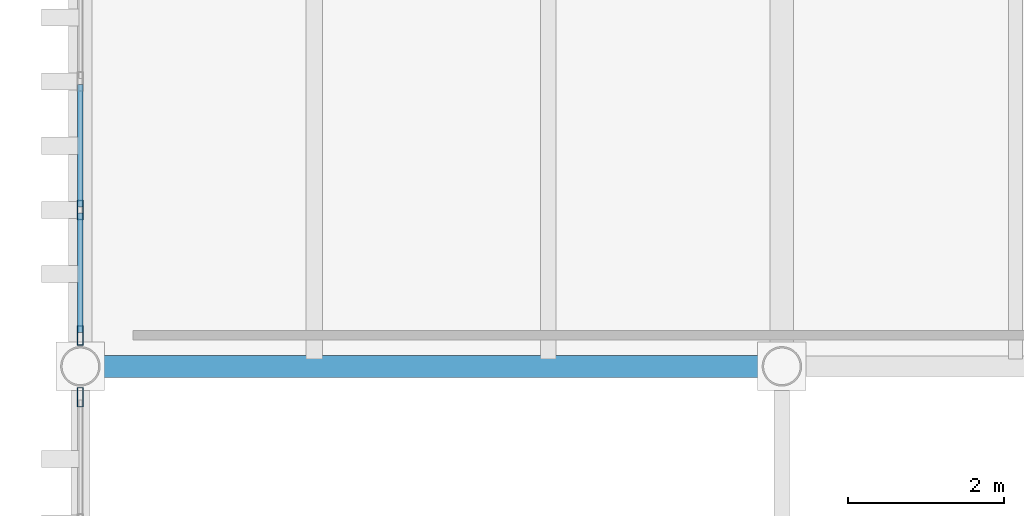
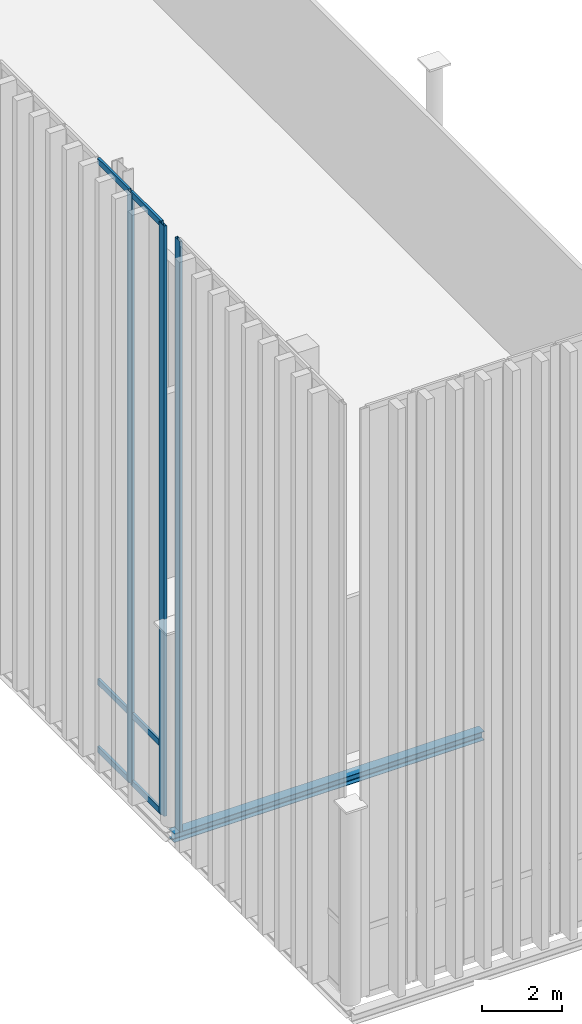
# One storey, part 29 of 237: 9 members, 1 beam, 2 elements without a shape of their own.
"""IFC4 building model written with IfcOpenShell, lengths in metres."""

from ifc_helpers import new_model, si_unit, direction, frame, origin, origin_2d, place, context, subcontext, project, spatial, hollow_rectangle, i_section, extrude, material, layer, layer_set, material_profile, profile_set, type_object, element, aggregate, save


model = new_model("IFC4")

# Units and contexts
model_context = context("Model", 3, precision=1e-05, world=origin(), true_north=direction((0.0, 1.0)))
body_context = subcontext(model_context, "Body", "Model", "MODEL_VIEW")
ifc_project = project(units=[si_unit("LENGTHUNIT", "METRE"), si_unit("AREAUNIT", "SQUARE_METRE"), si_unit("VOLUMEUNIT", "CUBIC_METRE"), si_unit("PLANEANGLEUNIT", "RADIAN"), si_unit("MASSUNIT", "GRAM", prefix="KILO")], contexts=[model_context])

# Site, building, storey
site_placement = place(None, origin())
site = spatial("IfcSite", under=ifc_project, at=site_placement, CompositionType="ELEMENT")
building_placement = place(site_placement, origin())
building = spatial("IfcBuilding", under=site, at=building_placement, Name="Barlavento Convention Centre", CompositionType="ELEMENT")
storey_placement = place(building_placement, frame((0.0, 0.0, 12.0)))
storey = spatial("IfcBuildingStorey", under=building, at=storey_placement, Name="L02", CompositionType="ELEMENT", Elevation=12.0)

# Curtain wall, members
ifc_material_1 = material(Name="Powder-coated aluminium and Low-E glass", Category="aluminium")
ifc_layer = layer(ifc_material_1, 0.18994140625)
ifc_layer_set = layer_set([ifc_layer], Name="ARC-CW-CONG-L02")
curtain_wall_type = type_object("IfcCurtainWallType", Name="ARC-CW-CONG-L02", PredefinedType="NOTDEFINED", material=ifc_layer_set)
curtain_wall_1_placement = place(storey_placement, origin())
curtain_wall_1 = element("IfcCurtainWall", 1, at=curtain_wall_1_placement, inside=storey, type_object=curtain_wall_type, Name="L02 unitised curtain wall CW02", PredefinedType="NOTDEFINED")
ifc_material_2 = material(Name="Powder-coated aluminium", Category="aluminium")
ifc_material_profile_1 = material_profile(ifc_material_2, hollow_rectangle(XDim=0.074951171875, YDim=0.25, WallThickness=0.006103515625, at=origin_2d()), Name="AL-MULL 75x250x6")
ifc_profile_set_1 = profile_set([ifc_material_profile_1], Name="Powder-coated aluminium")
member_type_1 = type_object("IfcMemberType", Name="ARC-CWM-75X250", PredefinedType="MULLION", material=ifc_profile_set_1)
member_1_placement = place(storey_placement, frame((0.0, 9.396484375, 0.0), z_axis=(0.0, 0.0, 1.0), x_axis=(-1.0, 0.0, 0.0)))
member_1 = element("IfcMember", 2, at=member_1_placement, type_object=member_type_1, Name="CW02 mullion 1", PredefinedType="MULLION", context=body_context, shape_type="SweptSolid", body=[
    extrude(hollow_rectangle(XDim=0.074951171875, YDim=0.25, WallThickness=0.006103515625, at=origin_2d()), origin(), (0.0, 0.0, 1.0), 18.037109375),
])
member_2_placement = place(storey_placement, frame((0.0, 11.006103515625, 0.0), z_axis=(0.0, 0.0, 1.0), x_axis=(-1.0, 0.0, 0.0)))
member_2 = element("IfcMember", 3, at=member_2_placement, type_object=member_type_1, Name="CW02 mullion 2", PredefinedType="MULLION", context=body_context, shape_type="SweptSolid", body=[
    extrude(hollow_rectangle(XDim=0.074951171875, YDim=0.25, WallThickness=0.006103515625, at=origin_2d()), origin(), (0.0, 0.0, 1.0), 18.037109375),
])

# Curtain wall, member
curtain_wall_2_placement = place(storey_placement, origin())
curtain_wall_2 = element("IfcCurtainWall", 4, at=curtain_wall_2_placement, inside=storey, type_object=curtain_wall_type, Name="L02 unitised curtain wall CW02", PredefinedType="NOTDEFINED")
member_3_placement = place(storey_placement, frame((0.0, 8.603515625, 0.0), z_axis=(0.0, 0.0, 1.0), x_axis=(-1.0, 0.0, 0.0)))
member_3 = element("IfcMember", 5, at=member_3_placement, type_object=member_type_1, Name="CW02 mullion 6", PredefinedType="MULLION", context=body_context, shape_type="SweptSolid", body=[
    extrude(hollow_rectangle(XDim=0.074951171875, YDim=0.25, WallThickness=0.006103515625, at=origin_2d()), origin(), (0.0, 0.0, 1.0), 18.037109375),
])
aggregate(curtain_wall_2, [member_3])

# Member
ifc_material_profile_2 = material_profile(ifc_material_2, hollow_rectangle(XDim=0.070068359375, YDim=0.179931640625, WallThickness=0.0048828125, at=origin_2d()), Name="AL-TRAN 70x180x5")
ifc_profile_set_2 = profile_set([ifc_material_profile_2], Name="Powder-coated aluminium")
member_type_2 = type_object("IfcMemberType", Name="ARC-CWT-70X180", PredefinedType="USERDEFINED", material=ifc_profile_set_2)
member_4_placement = place(storey_placement, frame((0.0, 9.43408203125, 0.034912109375), z_axis=(0.0, 1.0, 0.0), x_axis=(-1.0, 0.0, 0.0)))
member_4 = element("IfcMember", 6, at=member_4_placement, type_object=member_type_2, Name="CW02 transom 1.1", ObjectType="TRANSOM", PredefinedType="USERDEFINED", context=body_context, shape_type="SweptSolid", body=[
    extrude(hollow_rectangle(XDim=0.070068359375, YDim=0.179931640625, WallThickness=0.0048828125, at=origin_2d()), origin(), (0.0, 0.0, 1.0), 1.53466796875),
])

member_5_placement = place(storey_placement, frame((0.0, 9.43408203125, 2.10009765625), z_axis=(0.0, 1.0, 0.0), x_axis=(-1.0, 0.0, 0.0)))
member_5 = element("IfcMember", 7, at=member_5_placement, type_object=member_type_2, Name="CW02 transom 1.2", ObjectType="TRANSOM", PredefinedType="USERDEFINED", context=body_context, shape_type="SweptSolid", body=[
    extrude(hollow_rectangle(XDim=0.070068359375, YDim=0.179931640625, WallThickness=0.0048828125, at=origin_2d()), origin(), (0.0, 0.0, 1.0), 1.53466796875),
])

member_6_placement = place(storey_placement, frame((0.0, 9.43408203125, 18.001953125), z_axis=(0.0, 1.0, 0.0), x_axis=(-1.0, 0.0, 0.0)))
member_6 = element("IfcMember", 8, at=member_6_placement, type_object=member_type_2, Name="CW02 transom 1.3", ObjectType="TRANSOM", PredefinedType="USERDEFINED", context=body_context, shape_type="SweptSolid", body=[
    extrude(hollow_rectangle(XDim=0.070068359375, YDim=0.179931640625, WallThickness=0.0048828125, at=origin_2d()), origin(), (0.0, 0.0, 1.0), 1.53466796875),
])

member_7_placement = place(storey_placement, frame((0.0, 11.043701171875, 0.034912109375), z_axis=(0.0, 1.0, 0.0), x_axis=(-1.0, 0.0, 0.0)))
member_7 = element("IfcMember", 9, at=member_7_placement, type_object=member_type_2, Name="CW02 transom 2.1", ObjectType="TRANSOM", PredefinedType="USERDEFINED", context=body_context, shape_type="SweptSolid", body=[
    extrude(hollow_rectangle(XDim=0.070068359375, YDim=0.179931640625, WallThickness=0.0048828125, at=origin_2d()), origin(), (0.0, 0.0, 1.0), 1.572265625),
])

member_8_placement = place(storey_placement, frame((0.0, 11.043701171875, 2.10009765625), z_axis=(0.0, 1.0, 0.0), x_axis=(-1.0, 0.0, 0.0)))
member_8 = element("IfcMember", 10, at=member_8_placement, type_object=member_type_2, Name="CW02 transom 2.2", ObjectType="TRANSOM", PredefinedType="USERDEFINED", context=body_context, shape_type="SweptSolid", body=[
    extrude(hollow_rectangle(XDim=0.070068359375, YDim=0.179931640625, WallThickness=0.0048828125, at=origin_2d()), origin(), (0.0, 0.0, 1.0), 1.572265625),
])

member_9_placement = place(storey_placement, frame((0.0, 11.043701171875, 18.001953125), z_axis=(0.0, 1.0, 0.0), x_axis=(-1.0, 0.0, 0.0)))
member_9 = element("IfcMember", 11, at=member_9_placement, type_object=member_type_2, Name="CW02 transom 2.3", ObjectType="TRANSOM", PredefinedType="USERDEFINED", context=body_context, shape_type="SweptSolid", body=[
    extrude(hollow_rectangle(XDim=0.070068359375, YDim=0.179931640625, WallThickness=0.0048828125, at=origin_2d()), origin(), (0.0, 0.0, 1.0), 1.572265625),
])

aggregate(curtain_wall_1, [member_1, member_2, member_4, member_5, member_6, member_7, member_8, member_9])

# Beam
ifc_material_3 = material(Name="Steel S355", Category="steel")
ifc_material_profile_3 = material_profile(ifc_material_3, i_section(OverallWidth=0.280029296875, OverallDepth=0.27001953125, WebThickness=0.008056640625, FlangeThickness=0.012939453125, FilletRadius=0.02392578125, at=origin_2d()), Name="HEA 280")
ifc_profile_set_3 = profile_set([ifc_material_profile_3], Name="Steel S355")
beam_type = type_object("IfcBeamType", Name="STR-BM-SPN-HEA280", PredefinedType="SPANDREL", material=ifc_profile_set_3)
beam_placement = place(storey_placement, frame((0.02001953125, 9.0, -0.43505859375), z_axis=(1.0, 0.0, 0.0), x_axis=(0.0, 1.0, 0.0)))
element("IfcBeam", 12, at=beam_placement, inside=storey, type_object=beam_type, Name="L02 primary girder SP03", PredefinedType="SPANDREL", context=body_context, shape_type="SweptSolid", body=[
    extrude(i_section(OverallWidth=0.280029296875, OverallDepth=0.27001953125, WebThickness=0.008056640625, FlangeThickness=0.012939453125, FilletRadius=0.02392578125, at=origin_2d()), origin(), (0.0, 0.0, 1.0), 8.9599609375),
])

save(model, "model.ifc")
